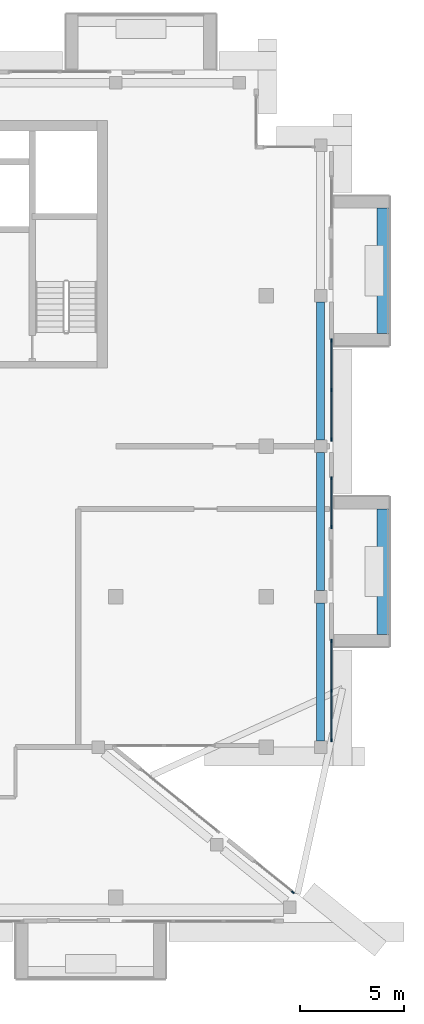
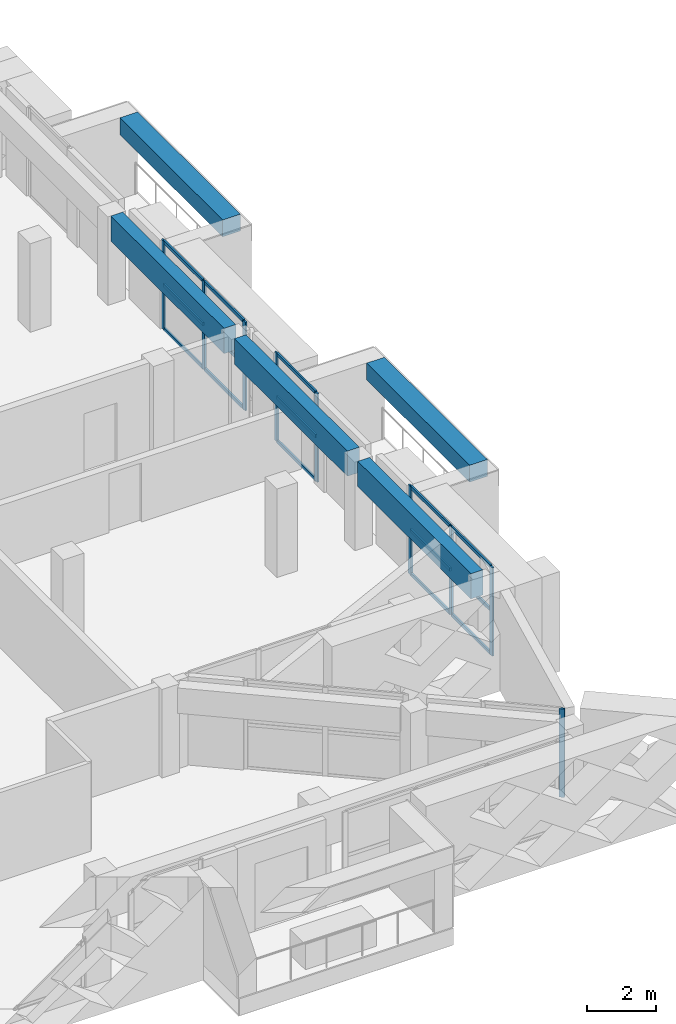
# One storey, part 8 of 22: 24 members, 5 beams, 4 elements without a shape of their own.
"""IFC4 building model written with IfcOpenShell, lengths in metres."""

from ifc_helpers import new_model, si_unit, direction, frame, origin, origin_2d, place, context, subcontext, project, spatial, rectangle, extrude, source, transform, mapped, material, layer, layer_set, material_profile, profile_set, type_object, element, aggregate, save


model = new_model("IFC4")

# Units and contexts
model_context = context("Model", 3, precision=1e-05, world=origin(), true_north=direction((0.0, 1.0)))
body_context = subcontext(model_context, "Body", "Model", "MODEL_VIEW")
ifc_project = project(units=[si_unit("LENGTHUNIT", "METRE"), si_unit("AREAUNIT", "SQUARE_METRE"), si_unit("VOLUMEUNIT", "CUBIC_METRE"), si_unit("PLANEANGLEUNIT", "RADIAN"), si_unit("MASSUNIT", "GRAM", prefix="KILO")], contexts=[model_context])

# Site, building, storey
site_placement = place(None, origin())
site = spatial("IfcSite", under=ifc_project, at=site_placement, CompositionType="ELEMENT")
building_placement = place(site_placement, origin())
building = spatial("IfcBuilding", under=site, at=building_placement, Name="Saffron Iwan Residences", CompositionType="ELEMENT")
storey_placement = place(building_placement, frame((0.0, 0.0, 271.0)))
storey = spatial("IfcBuildingStorey", under=building, at=storey_placement, Name="L73", CompositionType="ELEMENT", Elevation=271.0)

# Beams
ifc_material_1 = material(Name="Concrete C40/50", Category="concrete")
ifc_material_profile_1 = material_profile(ifc_material_1, rectangle(XDim=0.39990234375, YDim=0.89990234375, at=origin_2d()), Name="RC 400x900")
ifc_profile_set_1 = profile_set([ifc_material_profile_1], Name="Concrete C40/50")
beam_type_1 = type_object("IfcBeamType", Name="SPANDREL BEAM RC 400x900 C40/50 TOP 3150", PredefinedType="SPANDREL", material=ifc_profile_set_1)
shared_shape_1 = source(origin(), body_context, "Body", "SweptSolid", [
    extrude(rectangle(XDim=0.39990234375, YDim=0.89990234375, at=origin_2d()), origin(), (0.0, 0.0, 1.0), 6.599853515625),
])
beam_placement = place(storey_placement, frame((81.800048828125, 54.89990234375, 2.699951171875), z_axis=(0.0, -1.0, 0.0), x_axis=(1.0, 0.0, 0.0)))
element("IfcBeam", 1, at=beam_placement, inside=storey, type_object=beam_type_1, Name="Spandrel beam", PredefinedType="SPANDREL", context=body_context, shape_type="MappedRepresentation", body=[
    mapped(shared_shape_1, transform((0.0, 0.0, 0.0))),
])
shared_shape_2 = source(origin(), body_context, "Body", "SweptSolid", [
    extrude(rectangle(XDim=0.39990234375, YDim=0.89990234375, at=origin_2d()), origin(), (0.0, 0.0, 1.0), 6.60009765625),
])
for number, where, z_axis, x_axis, name in (
    (2, (81.800048828125, 62.10009765625, 2.699951171875), (0.0, -1.0, 0.0), (1.0, 0.0, 0.0), "Spandrel beam"),
    (3, (81.800048828125, 69.300048828125, 2.699951171875), (0.0, -1.0, 0.0), (1.0, 0.0, 0.0), "Spandrel beam"),
):
    element("IfcBeam", number, at=place(storey_placement, frame(where, z_axis=z_axis, x_axis=x_axis)), inside=storey, type_object=beam_type_1, Name=name, PredefinedType="SPANDREL", context=body_context, shape_type="MappedRepresentation", body=[
        mapped(shared_shape_2, transform((0.0, 0.0, 0.0))),
    ])
ifc_material_2 = material(Name="Concrete C50/60 white painted", Category="concrete")
ifc_material_profile_2 = material_profile(ifc_material_2, rectangle(XDim=0.60009765625, YDim=0.60009765625, at=origin_2d()), Name="BALCONY FASCIA BEAM 600 x 600")
ifc_profile_set_2 = profile_set([ifc_material_profile_2], Name="Concrete C50/60 white painted")
beam_type_2 = type_object("IfcBeamType", Name="BALCONY FASCIA BEAM 600 x 600", PredefinedType="BEAM", material=ifc_profile_set_2)
shared_shape_3 = source(origin(), body_context, "Body", "SweptSolid", [
    extrude(rectangle(XDim=0.60009765625, YDim=0.60009765625, at=origin_2d()), origin(), (0.0, 0.0, 1.0), 6.0),
])
for number, where, z_axis, x_axis, name in (
    (4, (84.800048828125, 53.39990234375, 2.60107421875), (0.0, 1.0, 0.0), (-1.0, 0.0, 0.0), "Balcony fascia beam L73 F2-0"),
    (5, (84.800048828125, 67.800048828125, 2.60107421875), (0.0, 1.0, 0.0), (-1.0, 0.0, 0.0), "Balcony fascia beam L73 F2-1"),
):
    element("IfcBeam", number, at=place(storey_placement, frame(where, z_axis=z_axis, x_axis=x_axis)), inside=storey, type_object=beam_type_2, Name=name, PredefinedType="BEAM", context=body_context, shape_type="MappedRepresentation", body=[
        mapped(shared_shape_3, transform((0.0, 0.0, 0.0))),
    ])

# Curtain wall, member
ifc_material_3 = material(Name="Clear glass, laminated double glazed", Category="glass")
ifc_layer = layer(ifc_material_3, 0.14990234375)
ifc_layer_set = layer_set([ifc_layer], Name="Clear glass, laminated double glazed")
curtain_wall_type = type_object("IfcCurtainWallType", Name="CW-E SKY CLUB GLAZING", PredefinedType="NOTDEFINED", material=ifc_layer_set)
curtain_wall_1_placement = place(storey_placement, origin())
curtain_wall_1 = element("IfcCurtainWall", 6, at=curtain_wall_1_placement, inside=storey, type_object=curtain_wall_type, Name="Glazing L73 F0.1", PredefinedType="NOTDEFINED")
ifc_material_4 = material(Name="Aluminium 6063-T6", Category="aluminium")
ifc_material_profile_3 = material_profile(ifc_material_4, rectangle(XDim=0.06005859375, YDim=0.159912109375, at=origin_2d()), Name="CW-E MULLION 60 x 160")
ifc_profile_set_3 = profile_set([ifc_material_profile_3], Name="Aluminium 6063-T6")
member_type_1 = type_object("IfcMemberType", Name="CW-E MULLION 60 x 160", PredefinedType="MULLION", material=ifc_profile_set_3)
shared_shape_4 = source(origin(), body_context, "Body", "SweptSolid", [
    extrude(rectangle(XDim=0.06005859375, YDim=0.159912109375, at=origin_2d()), origin(), (0.0, 0.0, 1.0), 3.14990234375),
])
member_1_placement = place(storey_placement, frame((80.479248046875, 41.048583984375, 0.0), z_axis=(0.0, 0.0, 1.0), x_axis=(-0.628337107185, -0.777941180125, 0.0)))
member_1 = element("IfcMember", 7, at=member_1_placement, type_object=member_type_1, Name="CW-E mullion 1", PredefinedType="MULLION", context=body_context, shape_type="MappedRepresentation", body=[
    mapped(shared_shape_4, transform((0.0, 0.0, 0.0))),
])
aggregate(curtain_wall_1, [member_1])

# Curtain wall, members
curtain_wall_2_placement = place(storey_placement, origin())
curtain_wall_2 = element("IfcCurtainWall", 8, at=curtain_wall_2_placement, inside=storey, type_object=curtain_wall_type, Name="Glazing L73 F2.0", PredefinedType="NOTDEFINED")
member_2_placement = place(storey_placement, frame((82.320068359375, 48.330078125, 0.0), z_axis=(0.0, 0.0, 1.0), x_axis=(-1.0, 0.0, 0.0)))
member_2 = element("IfcMember", 9, at=member_2_placement, type_object=member_type_1, Name="CW-E mullion 1", PredefinedType="MULLION", context=body_context, shape_type="MappedRepresentation", body=[
    mapped(shared_shape_4, transform((0.0, 0.0, 0.0))),
])
member_3_placement = place(storey_placement, frame((82.320068359375, 50.699951171875, 0.0), z_axis=(0.0, 0.0, 1.0), x_axis=(-1.0, 0.0, 0.0)))
member_3 = element("IfcMember", 10, at=member_3_placement, type_object=member_type_1, Name="CW-E mullion 2", PredefinedType="MULLION", context=body_context, shape_type="MappedRepresentation", body=[
    mapped(shared_shape_4, transform((0.0, 0.0, 0.0))),
])
member_4_placement = place(storey_placement, frame((82.320068359375, 53.070068359375, 0.0), z_axis=(0.0, 0.0, 1.0), x_axis=(-1.0, 0.0, 0.0)))
member_4 = element("IfcMember", 11, at=member_4_placement, type_object=member_type_1, Name="CW-E mullion 3", PredefinedType="MULLION", context=body_context, shape_type="MappedRepresentation", body=[
    mapped(shared_shape_4, transform((0.0, 0.0, 0.0))),
])

curtain_wall_3_placement = place(storey_placement, origin())
curtain_wall_3 = element("IfcCurtainWall", 12, at=curtain_wall_3_placement, inside=storey, type_object=curtain_wall_type, Name="Glazing L73 F2.1", PredefinedType="NOTDEFINED")
member_5_placement = place(storey_placement, frame((82.320068359375, 58.530029296875, 0.0), z_axis=(0.0, 0.0, 1.0), x_axis=(-1.0, 0.0, 0.0)))
member_5 = element("IfcMember", 13, at=member_5_placement, type_object=member_type_1, Name="CW-E mullion 1", PredefinedType="MULLION", context=body_context, shape_type="MappedRepresentation", body=[
    mapped(shared_shape_4, transform((0.0, 0.0, 0.0))),
])
member_6_placement = place(storey_placement, frame((82.320068359375, 60.8701171875, 0.0), z_axis=(0.0, 0.0, 1.0), x_axis=(-1.0, 0.0, 0.0)))
member_6 = element("IfcMember", 14, at=member_6_placement, type_object=member_type_1, Name="CW-E mullion 2", PredefinedType="MULLION", context=body_context, shape_type="MappedRepresentation", body=[
    mapped(shared_shape_4, transform((0.0, 0.0, 0.0))),
])

curtain_wall_4_placement = place(storey_placement, origin())
curtain_wall_4 = element("IfcCurtainWall", 15, at=curtain_wall_4_placement, inside=storey, type_object=curtain_wall_type, Name="Glazing L73 F2.2", PredefinedType="NOTDEFINED")
member_7_placement = place(storey_placement, frame((82.320068359375, 62.72998046875, 0.0), z_axis=(0.0, 0.0, 1.0), x_axis=(-1.0, 0.0, 0.0)))
member_7 = element("IfcMember", 16, at=member_7_placement, type_object=member_type_1, Name="CW-E mullion 1", PredefinedType="MULLION", context=body_context, shape_type="MappedRepresentation", body=[
    mapped(shared_shape_4, transform((0.0, 0.0, 0.0))),
])
member_8_placement = place(storey_placement, frame((82.320068359375, 65.10009765625, 0.0), z_axis=(0.0, 0.0, 1.0), x_axis=(-1.0, 0.0, 0.0)))
member_8 = element("IfcMember", 17, at=member_8_placement, type_object=member_type_1, Name="CW-E mullion 2", PredefinedType="MULLION", context=body_context, shape_type="MappedRepresentation", body=[
    mapped(shared_shape_4, transform((0.0, 0.0, 0.0))),
])
member_9_placement = place(storey_placement, frame((82.320068359375, 67.469970703125, 0.0), z_axis=(0.0, 0.0, 1.0), x_axis=(-1.0, 0.0, 0.0)))
member_9 = element("IfcMember", 18, at=member_9_placement, type_object=member_type_1, Name="CW-E mullion 3", PredefinedType="MULLION", context=body_context, shape_type="MappedRepresentation", body=[
    mapped(shared_shape_4, transform((0.0, 0.0, 0.0))),
])

# Member
ifc_material_profile_4 = material_profile(ifc_material_4, rectangle(XDim=0.06005859375, YDim=0.1201171875, at=origin_2d()), Name="CW-E TRANSOM 60 x 120")
ifc_profile_set_4 = profile_set([ifc_material_profile_4], Name="Aluminium 6063-T6")
member_type_2 = type_object("IfcMemberType", Name="CW-E TRANSOM 60 x 120", PredefinedType="USERDEFINED", material=ifc_profile_set_4)
shared_shape_5 = source(origin(), body_context, "Body", "SweptSolid", [
    extrude(rectangle(XDim=0.06005859375, YDim=0.1201171875, at=origin_2d()), origin(), (0.0, 0.0, 1.0), 2.280029296875),
])
member_10_placement = place(storey_placement, frame((82.320068359375, 58.56005859375, 0.030029296875), z_axis=(0.0, 1.0, 0.0), x_axis=(-1.0, 0.0, 0.0)))
member_10 = element("IfcMember", 19, at=member_10_placement, type_object=member_type_2, Name="CW-E transom 1.1", ObjectType="TRANSOM", PredefinedType="USERDEFINED", context=body_context, shape_type="MappedRepresentation", body=[
    mapped(shared_shape_5, transform((0.0, 0.0, 0.0))),
])

member_11_placement = place(storey_placement, frame((82.320068359375, 58.56005859375, 1.574951171875), z_axis=(0.0, 1.0, 0.0), x_axis=(-1.0, 0.0, 0.0)))
member_11 = element("IfcMember", 20, at=member_11_placement, type_object=member_type_2, Name="CW-E transom 1.2", ObjectType="TRANSOM", PredefinedType="USERDEFINED", context=body_context, shape_type="MappedRepresentation", body=[
    mapped(shared_shape_5, transform((0.0, 0.0, 0.0))),
])

member_12_placement = place(storey_placement, frame((82.320068359375, 58.56005859375, 3.1201171875), z_axis=(0.0, 1.0, 0.0), x_axis=(-1.0, 0.0, 0.0)))
member_12 = element("IfcMember", 21, at=member_12_placement, type_object=member_type_2, Name="CW-E transom 1.3", ObjectType="TRANSOM", PredefinedType="USERDEFINED", context=body_context, shape_type="MappedRepresentation", body=[
    mapped(shared_shape_5, transform((0.0, 0.0, 0.0))),
])

aggregate(curtain_wall_3, [member_5, member_6, member_10, member_11, member_12])

shared_shape_6 = source(origin(), body_context, "Body", "SweptSolid", [
    extrude(rectangle(XDim=0.06005859375, YDim=0.1201171875, at=origin_2d()), origin(), (0.0, 0.0, 1.0), 2.31005859375),
])
member_13_placement = place(storey_placement, frame((82.320068359375, 50.72998046875, 0.030029296875), z_axis=(0.0, 1.0, 0.0), x_axis=(-1.0, 0.0, 0.0)))
member_13 = element("IfcMember", 22, at=member_13_placement, type_object=member_type_2, Name="CW-E transom 2.1", ObjectType="TRANSOM", PredefinedType="USERDEFINED", context=body_context, shape_type="MappedRepresentation", body=[
    mapped(shared_shape_6, transform((0.0, 0.0, 0.0))),
])

member_14_placement = place(storey_placement, frame((82.320068359375, 50.72998046875, 1.574951171875), z_axis=(0.0, 1.0, 0.0), x_axis=(-1.0, 0.0, 0.0)))
member_14 = element("IfcMember", 23, at=member_14_placement, type_object=member_type_2, Name="CW-E transom 2.2", ObjectType="TRANSOM", PredefinedType="USERDEFINED", context=body_context, shape_type="MappedRepresentation", body=[
    mapped(shared_shape_6, transform((0.0, 0.0, 0.0))),
])

member_15_placement = place(storey_placement, frame((82.320068359375, 50.72998046875, 3.1201171875), z_axis=(0.0, 1.0, 0.0), x_axis=(-1.0, 0.0, 0.0)))
member_15 = element("IfcMember", 24, at=member_15_placement, type_object=member_type_2, Name="CW-E transom 2.3", ObjectType="TRANSOM", PredefinedType="USERDEFINED", context=body_context, shape_type="MappedRepresentation", body=[
    mapped(shared_shape_6, transform((0.0, 0.0, 0.0))),
])

member_16_placement = place(storey_placement, frame((82.320068359375, 62.760009765625, 0.030029296875), z_axis=(0.0, 1.0, 0.0), x_axis=(-1.0, 0.0, 0.0)))
member_16 = element("IfcMember", 25, at=member_16_placement, type_object=member_type_2, Name="CW-E transom 1.1", ObjectType="TRANSOM", PredefinedType="USERDEFINED", context=body_context, shape_type="MappedRepresentation", body=[
    mapped(shared_shape_6, transform((0.0, 0.0, 0.0))),
])

member_17_placement = place(storey_placement, frame((82.320068359375, 62.760009765625, 1.574951171875), z_axis=(0.0, 1.0, 0.0), x_axis=(-1.0, 0.0, 0.0)))
member_17 = element("IfcMember", 26, at=member_17_placement, type_object=member_type_2, Name="CW-E transom 1.2", ObjectType="TRANSOM", PredefinedType="USERDEFINED", context=body_context, shape_type="MappedRepresentation", body=[
    mapped(shared_shape_6, transform((0.0, 0.0, 0.0))),
])

member_18_placement = place(storey_placement, frame((82.320068359375, 62.760009765625, 3.1201171875), z_axis=(0.0, 1.0, 0.0), x_axis=(-1.0, 0.0, 0.0)))
member_18 = element("IfcMember", 27, at=member_18_placement, type_object=member_type_2, Name="CW-E transom 1.3", ObjectType="TRANSOM", PredefinedType="USERDEFINED", context=body_context, shape_type="MappedRepresentation", body=[
    mapped(shared_shape_6, transform((0.0, 0.0, 0.0))),
])

member_19_placement = place(storey_placement, frame((82.320068359375, 65.1298828125, 0.030029296875), z_axis=(0.0, 1.0, 0.0), x_axis=(-1.0, 0.0, 0.0)))
member_19 = element("IfcMember", 28, at=member_19_placement, type_object=member_type_2, Name="CW-E transom 2.1", ObjectType="TRANSOM", PredefinedType="USERDEFINED", context=body_context, shape_type="MappedRepresentation", body=[
    mapped(shared_shape_6, transform((0.0, 0.0, 0.0))),
])

member_20_placement = place(storey_placement, frame((82.320068359375, 65.1298828125, 1.574951171875), z_axis=(0.0, 1.0, 0.0), x_axis=(-1.0, 0.0, 0.0)))
member_20 = element("IfcMember", 29, at=member_20_placement, type_object=member_type_2, Name="CW-E transom 2.2", ObjectType="TRANSOM", PredefinedType="USERDEFINED", context=body_context, shape_type="MappedRepresentation", body=[
    mapped(shared_shape_6, transform((0.0, 0.0, 0.0))),
])

member_21_placement = place(storey_placement, frame((82.320068359375, 65.1298828125, 3.1201171875), z_axis=(0.0, 1.0, 0.0), x_axis=(-1.0, 0.0, 0.0)))
member_21 = element("IfcMember", 30, at=member_21_placement, type_object=member_type_2, Name="CW-E transom 2.3", ObjectType="TRANSOM", PredefinedType="USERDEFINED", context=body_context, shape_type="MappedRepresentation", body=[
    mapped(shared_shape_6, transform((0.0, 0.0, 0.0))),
])

aggregate(curtain_wall_4, [member_7, member_8, member_9, member_16, member_17, member_18, member_19, member_20, member_21])

shared_shape_7 = source(origin(), body_context, "Body", "SweptSolid", [
    extrude(rectangle(XDim=0.06005859375, YDim=0.1201171875, at=origin_2d()), origin(), (0.0, 0.0, 1.0), 2.309814453125),
])
member_22_placement = place(storey_placement, frame((82.320068359375, 48.360107421875, 0.030029296875), z_axis=(0.0, 1.0, 0.0), x_axis=(-1.0, 0.0, 0.0)))
member_22 = element("IfcMember", 31, at=member_22_placement, type_object=member_type_2, Name="CW-E transom 1.1", ObjectType="TRANSOM", PredefinedType="USERDEFINED", context=body_context, shape_type="MappedRepresentation", body=[
    mapped(shared_shape_7, transform((0.0, 0.0, 0.0))),
])

member_23_placement = place(storey_placement, frame((82.320068359375, 48.360107421875, 1.574951171875), z_axis=(0.0, 1.0, 0.0), x_axis=(-1.0, 0.0, 0.0)))
member_23 = element("IfcMember", 32, at=member_23_placement, type_object=member_type_2, Name="CW-E transom 1.2", ObjectType="TRANSOM", PredefinedType="USERDEFINED", context=body_context, shape_type="MappedRepresentation", body=[
    mapped(shared_shape_7, transform((0.0, 0.0, 0.0))),
])

member_24_placement = place(storey_placement, frame((82.320068359375, 48.360107421875, 3.1201171875), z_axis=(0.0, 1.0, 0.0), x_axis=(-1.0, 0.0, 0.0)))
member_24 = element("IfcMember", 33, at=member_24_placement, type_object=member_type_2, Name="CW-E transom 1.3", ObjectType="TRANSOM", PredefinedType="USERDEFINED", context=body_context, shape_type="MappedRepresentation", body=[
    mapped(shared_shape_7, transform((0.0, 0.0, 0.0))),
])

aggregate(curtain_wall_2, [member_2, member_3, member_4, member_22, member_23, member_24, member_13, member_14, member_15])

save(model, "model.ifc")
